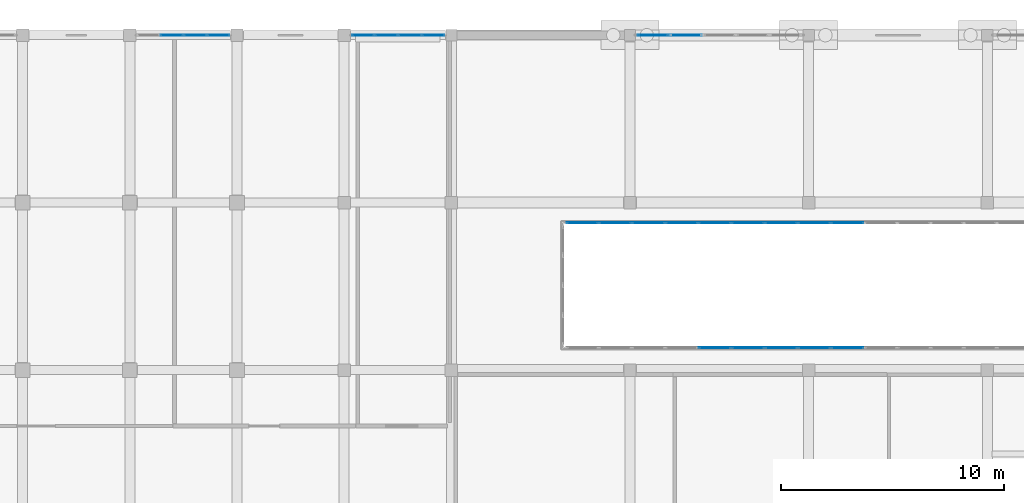
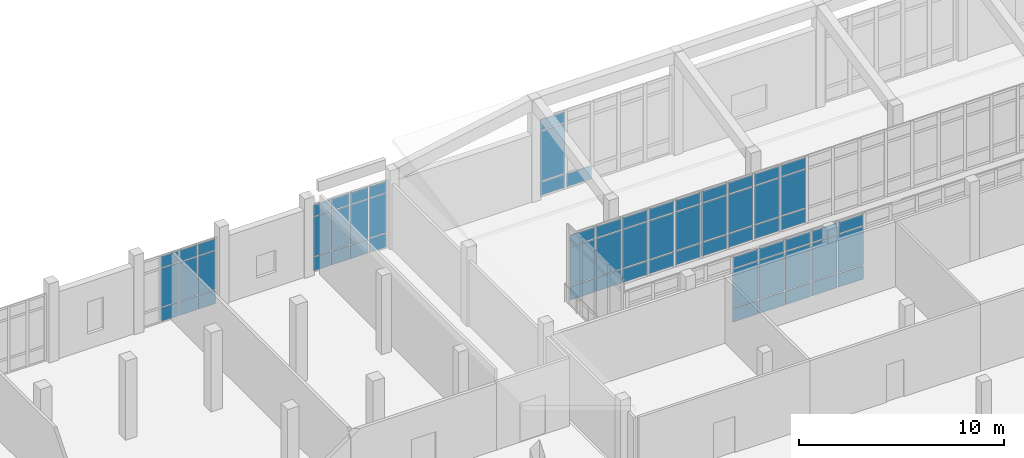
# One storey, part 140 of 173: 67 plates, 5 elements without a shape of their own.
"""IFC4 building model written with IfcOpenShell, lengths in metres."""

import ifcopenshell
import ifcopenshell.guid

model = None  # the IFC model being written
_history = None  # IfcOwnerHistory: only IFC2X3 demands one
_inside = {}  # id of a spatial element -> (the spatial element, [elements in it])
_under = {}  # id of a project, library or spatial element -> (it, [spatial elements below it])
_declared = {}  # id of a project -> (the project, [libraries it declares])
_typed = {}  # id of a type object -> (the type object, [elements of that type])
_made_of = {}  # id of a material, layer set ... -> (it, [elements and type objects made of it])


def new_model(schema):
    """Start an empty IFC model of exactly this schema.

    Asked for "IFC4X3", IfcOpenShell would pick the latest addendum, in which some entities
    have other attributes; the version numbers below select the first issue.
    IFC2X3 requires an IfcOwnerHistory on every rooted entity: one is made here for all.
    """
    global model, _history
    if schema == "IFC4X3":
        model = ifcopenshell.file(schema_version=(4, 3, 0, 0))
    else:
        model = ifcopenshell.file(schema=schema)
    _inside.clear()
    _under.clear()
    _declared.clear()
    _typed.clear()
    _made_of.clear()
    _history = None
    if model.schema == "IFC2X3":
        org = make("IfcOrganization", Name="unknown")
        user = make(
            "IfcPersonAndOrganization",
            ThePerson=make("IfcPerson", FamilyName="unknown"),
            TheOrganization=org,
        )
        app = make(
            "IfcApplication",
            ApplicationDeveloper=org,
            Version="unknown",
            ApplicationFullName="unknown",
            ApplicationIdentifier="unknown",
        )
        _history = make(
            "IfcOwnerHistory",
            OwningUser=user,
            OwningApplication=app,
            ChangeAction="ADDED",
            CreationDate=0,
        )
    return model


def make(cls, **values):
    """One entity of the class cls with the attributes given. An attribute that is None is left unset."""
    return model.create_entity(
        cls, **{name: value for name, value in values.items() if value is not None}
    )


def rooted(cls, **values):
    """An entity with a GlobalId (a new one), such as an element, a storey or a relation."""
    return make(cls, GlobalId=ifcopenshell.guid.new(), OwnerHistory=_history, **values)


def si_unit(unit_type, name, prefix=None):
    """IfcSIUnit, for example si_unit("LENGTHUNIT", "METRE", prefix="MILLI")."""
    return make("IfcSIUnit", UnitType=unit_type, Prefix=prefix, Name=name)


def assignment(units):
    """IfcUnitAssignment: the units of a project."""
    return None if units is None else make("IfcUnitAssignment", Units=units)


def point(xyz):
    """IfcCartesianPoint."""
    return None if xyz is None else make("IfcCartesianPoint", Coordinates=xyz)


def direction(xyz):
    """IfcDirection."""
    return None if xyz is None else make("IfcDirection", DirectionRatios=xyz)


def frame(location, z_axis=None, x_axis=None):
    """IfcAxis2Placement3D, a coordinate frame: its origin and axes. An axis left out is left unset."""
    return make(
        "IfcAxis2Placement3D",
        Location=point(location),
        Axis=direction(z_axis),
        RefDirection=direction(x_axis),
    )


def frame_2d(location, x_axis=None):
    """IfcAxis2Placement2D, a coordinate frame in the plane: its origin and x axis."""
    return make(
        "IfcAxis2Placement2D", Location=point(location), RefDirection=direction(x_axis)
    )


def origin():
    """The frame at (0, 0, 0) with its axes left unset."""
    return frame((0.0, 0.0, 0.0))


def origin_2d():
    """The frame at (0, 0) in the plane with its x axis left unset."""
    return frame_2d((0.0, 0.0))


def place(relative_to, where):
    """IfcLocalPlacement: puts the frame where relative to a parent placement (None: the world)."""
    return make(
        "IfcLocalPlacement", PlacementRelTo=relative_to, RelativePlacement=where
    )


def context(
    kind, dimensions, precision=None, world=None, true_north=None, identifier=None
):
    """IfcGeometricRepresentationContext, for example the 3D "Model" context."""
    return make(
        "IfcGeometricRepresentationContext",
        ContextIdentifier=identifier,
        ContextType=kind,
        CoordinateSpaceDimension=dimensions,
        Precision=precision,
        WorldCoordinateSystem=world,
        TrueNorth=true_north,
    )


def subcontext(parent, identifier, kind, view, scale=None):
    """IfcGeometricRepresentationSubContext, for example "Body" below "Model"."""
    return make(
        "IfcGeometricRepresentationSubContext",
        ContextIdentifier=identifier,
        ContextType=kind,
        ParentContext=parent,
        TargetScale=scale,
        TargetView=view,
    )


def project(units=None, contexts=None):
    """IfcProject with its units and contexts."""
    return rooted(
        "IfcProject",
        Name="project",
        RepresentationContexts=contexts,
        UnitsInContext=assignment(units),
    )


def spatial(cls, under=None, at=None, **own):
    """A site, building, storey or space (cls), placed at a placement, below another one or the project."""
    s = rooted(cls, ObjectPlacement=at, **own)
    if under is not None:
        _under.setdefault(under.id(), (under, []))[1].append(s)
    return s


def profile(cls, at=None, kind="AREA", **sizes):
    """A parametric profile (cls). Its sizes go by their IFC names, for example OverallWidth=200.0."""
    return make(cls, ProfileType=kind, Position=at, **sizes)


def rectangle(**sizes):
    """IfcRectangleProfileDef."""
    return profile("IfcRectangleProfileDef", **sizes)


def extrude(swept, where, along, depth):
    """IfcExtrudedAreaSolid: the profile swept, set in the frame where, extruded along a direction by depth."""
    return make(
        "IfcExtrudedAreaSolid",
        SweptArea=swept,
        Position=where,
        ExtrudedDirection=direction(along),
        Depth=depth,
    )


def shape(context_of_items, identifier, shape_type, items):
    """IfcShapeRepresentation: the items that make up one representation, for example the "Body"."""
    return make(
        "IfcShapeRepresentation",
        ContextOfItems=context_of_items,
        RepresentationIdentifier=identifier,
        RepresentationType=shape_type,
        Items=items,
    )


def material(Name=None, Category=None):
    """IfcMaterial."""
    return make("IfcMaterial", Name=Name, Category=Category)


def layer(
    of_material, thickness, ventilated=None, Name=None, Category=None, Priority=None
):
    """IfcMaterialLayer: one layer of a wall or slab, of a material (None: an air gap)."""
    return make(
        "IfcMaterialLayer",
        Material=of_material,
        LayerThickness=thickness,
        IsVentilated=ventilated,
        Name=Name,
        Category=Category,
        Priority=Priority,
    )


def layer_set(layers, Name=None):
    """IfcMaterialLayerSet."""
    return make("IfcMaterialLayerSet", MaterialLayers=layers, LayerSetName=Name)


def made_of(thing, what):
    """Note that an element or type object is made of a material, layer set ...; save() writes the relation."""
    if what is not None:
        _made_of.setdefault(what.id(), (what, []))[1].append(thing)
    return thing


def type_object(cls, material=None, **own):
    """A type object (cls), such as IfcWallType, which elements share."""
    return made_of(rooted(cls, **own), material)


def element(
    cls,
    number,
    at=None,
    inside=None,
    cuts=None,
    type_object=None,
    material=None,
    context=None,
    identifier="Body",
    shape_type=None,
    held_by="IfcProductDefinitionShape",
    body=None,
    shapes=None,
    **own,
):
    """One element of the class cls, such as IfcWall. Its Tag is "e" and its number.

    at: its placement. inside: the storey or other place that contains it. cuts: it is an
    opening in that element (IfcRelVoidsElement). A single representation is given by context,
    identifier, shape_type and body (its items); several are given by shapes. held_by: the class
    of the entity that holds the representations. save() writes the other relations.
    """
    e = rooted(cls, Tag="e%d" % number, ObjectPlacement=at, **own)
    if body is not None:
        shapes = [shape(context, identifier, shape_type, body)]
    if shapes is not None:
        e.Representation = make(held_by, Representations=shapes)
    if inside is not None:
        _inside.setdefault(inside.id(), (inside, []))[1].append(e)
    if cuts is not None:
        rooted(
            "IfcRelVoidsElement", RelatingBuildingElement=cuts, RelatedOpeningElement=e
        )
    if type_object is not None:
        _typed.setdefault(type_object.id(), (type_object, []))[1].append(e)
    return made_of(e, material)


def aggregate(whole, parts):
    """IfcRelAggregates: a whole, such as a stair, and the parts it consists of."""
    return rooted("IfcRelAggregates", RelatingObject=whole, RelatedObjects=parts)


def save(model, path):
    """Write the relations noted so far, then the file.

    IfcRelAggregates (storeys below a building ...), IfcRelContainedInSpatialStructure (elements
    in a storey), IfcRelDefinesByType, IfcRelAssociatesMaterial and IfcRelDeclares: one each for
    every whole, place, type object, material and project.
    """
    for whole, parts in _under.values():
        aggregate(whole, parts)
    for where, things in _inside.values():
        rooted(
            "IfcRelContainedInSpatialStructure",
            RelatedElements=things,
            RelatingStructure=where,
        )
    for kind, things in _typed.values():
        rooted("IfcRelDefinesByType", RelatedObjects=things, RelatingType=kind)
    for what, things in _made_of.values():
        rooted("IfcRelAssociatesMaterial", RelatedObjects=things, RelatingMaterial=what)
    for by, libraries in _declared.values():
        rooted("IfcRelDeclares", RelatingContext=by, RelatedDefinitions=libraries)
    model.write(path)


model = new_model("IFC4")

# Units and contexts
model_context = context("Model", 3, precision=1e-05, world=origin(), true_north=direction((0.0, 1.0)))
body_context = subcontext(model_context, "Body", "Model", "MODEL_VIEW")
ifc_project = project(units=[si_unit("LENGTHUNIT", "METRE"), si_unit("AREAUNIT", "SQUARE_METRE"), si_unit("VOLUMEUNIT", "CUBIC_METRE"), si_unit("PLANEANGLEUNIT", "RADIAN"), si_unit("MASSUNIT", "GRAM", prefix="KILO")], contexts=[model_context])

# Site, building, storey
site_placement = place(None, origin())
site = spatial("IfcSite", under=ifc_project, at=site_placement, CompositionType="ELEMENT")
building_placement = place(site_placement, origin())
building = spatial("IfcBuilding", under=site, at=building_placement, Name="Mawjan Specialist Oncology Clinic", CompositionType="ELEMENT")
storey_placement = place(building_placement, origin())
storey = spatial("IfcBuildingStorey", under=building, at=storey_placement, Name="L00", CompositionType="ELEMENT", Elevation=0.0)

# Curtain wall, plates
ifc_material_1 = material(Name="Unitised spectrally selective aluminium curtain wall", Category="aluminium")
ifc_layer_1 = layer(ifc_material_1, 0.179931640625, Name="Unitised spectrally selective aluminium curtain wall", Category="aluminium")
ifc_layer_set_1 = layer_set([ifc_layer_1], Name="Unitised spectrally selective aluminium curtain wall")
curtain_wall_type_1 = type_object("IfcCurtainWallType", Name="CW-13", PredefinedType="NOTDEFINED", material=ifc_layer_set_1)
curtain_wall_1_placement = place(storey_placement, origin())
curtain_wall_1 = element("IfcCurtainWall", 1, at=curtain_wall_1_placement, inside=storey, type_object=curtain_wall_type_1, Name="L00 Unitised Curtain Wall CW-L00-025", PredefinedType="NOTDEFINED")
ifc_material_2 = material(Name="Spectrally selective double low-E glazing", Category="glass")
ifc_layer_2 = layer(ifc_material_2, 0.035888671875, Name="Spectrally selective double low-E glazing", Category="glass")
ifc_layer_set_2 = layer_set([ifc_layer_2], Name="Spectrally selective double low-E glazing")
plate_type = type_object("IfcPlateType", Name="CW-P36", PredefinedType="CURTAIN_PANEL", material=ifc_layer_set_2)
plate_1_placement = place(storey_placement, frame((95.4736328125, 113.300048828125, 0.06005859375), z_axis=(0.0, 0.0, 1.0), x_axis=(1.0, 0.0, 0.0)))
plate_1 = element("IfcPlate", 2, at=plate_1_placement, type_object=plate_type, Name="CW-13 panel 2.1", PredefinedType="CURTAIN_PANEL", context=body_context, shape_type="SweptSolid", body=[
    extrude(rectangle(XDim=0.992431640625, YDim=0.035888671875, at=origin_2d()), origin(), (0.0, 0.0, 1.0), 0.81005859375),
])
plate_2_placement = place(storey_placement, frame((95.4736328125, 113.300048828125, 0.929931640625), z_axis=(0.0, 0.0, 1.0), x_axis=(1.0, 0.0, 0.0)))
plate_2 = element("IfcPlate", 3, at=plate_2_placement, type_object=plate_type, Name="CW-13 panel 2.2", PredefinedType="CURTAIN_PANEL", context=body_context, shape_type="SweptSolid", body=[
    extrude(rectangle(XDim=0.992431640625, YDim=0.035888671875, at=origin_2d()), origin(), (0.0, 0.0, 1.0), 2.27490234375),
])
plate_3_placement = place(storey_placement, frame((95.4736328125, 113.300048828125, 3.26513671875), z_axis=(0.0, 0.0, 1.0), x_axis=(1.0, 0.0, 0.0)))
plate_3 = element("IfcPlate", 4, at=plate_3_placement, type_object=plate_type, Name="CW-13 panel 2.3", PredefinedType="CURTAIN_PANEL", context=body_context, shape_type="SweptSolid", body=[
    extrude(rectangle(XDim=0.992431640625, YDim=0.035888671875, at=origin_2d()), origin(), (0.0, 0.0, 1.0), 0.659912109375),
])
plate_4_placement = place(storey_placement, frame((96.5263671875, 113.300048828125, 0.06005859375), z_axis=(0.0, 0.0, 1.0), x_axis=(1.0, 0.0, 0.0)))
plate_4 = element("IfcPlate", 5, at=plate_4_placement, type_object=plate_type, Name="CW-13 panel 3.1", PredefinedType="CURTAIN_PANEL", context=body_context, shape_type="SweptSolid", body=[
    extrude(rectangle(XDim=0.992431640625, YDim=0.035888671875, at=origin_2d()), origin(), (0.0, 0.0, 1.0), 0.81005859375),
])
plate_5_placement = place(storey_placement, frame((96.5263671875, 113.300048828125, 0.929931640625), z_axis=(0.0, 0.0, 1.0), x_axis=(1.0, 0.0, 0.0)))
plate_5 = element("IfcPlate", 6, at=plate_5_placement, type_object=plate_type, Name="CW-13 panel 3.2", PredefinedType="CURTAIN_PANEL", context=body_context, shape_type="SweptSolid", body=[
    extrude(rectangle(XDim=0.992431640625, YDim=0.035888671875, at=origin_2d()), origin(), (0.0, 0.0, 1.0), 2.27490234375),
])
plate_6_placement = place(storey_placement, frame((96.5263671875, 113.300048828125, 3.26513671875), z_axis=(0.0, 0.0, 1.0), x_axis=(1.0, 0.0, 0.0)))
plate_6 = element("IfcPlate", 7, at=plate_6_placement, type_object=plate_type, Name="CW-13 panel 3.3", PredefinedType="CURTAIN_PANEL", context=body_context, shape_type="SweptSolid", body=[
    extrude(rectangle(XDim=0.992431640625, YDim=0.035888671875, at=origin_2d()), origin(), (0.0, 0.0, 1.0), 0.659912109375),
])
plate_7_placement = place(storey_placement, frame((97.563720703125, 113.300048828125, 0.06005859375), z_axis=(0.0, 0.0, 1.0), x_axis=(1.0, 0.0, 0.0)))
plate_7 = element("IfcPlate", 8, at=plate_7_placement, type_object=plate_type, Name="CW-13 panel 4.1", PredefinedType="CURTAIN_PANEL", context=body_context, shape_type="SweptSolid", body=[
    extrude(rectangle(XDim=0.96240234375, YDim=0.035888671875, at=origin_2d()), origin(), (0.0, 0.0, 1.0), 0.81005859375),
])
plate_8_placement = place(storey_placement, frame((97.563720703125, 113.300048828125, 0.929931640625), z_axis=(0.0, 0.0, 1.0), x_axis=(1.0, 0.0, 0.0)))
plate_8 = element("IfcPlate", 9, at=plate_8_placement, type_object=plate_type, Name="CW-13 panel 4.2", PredefinedType="CURTAIN_PANEL", context=body_context, shape_type="SweptSolid", body=[
    extrude(rectangle(XDim=0.96240234375, YDim=0.035888671875, at=origin_2d()), origin(), (0.0, 0.0, 1.0), 2.27490234375),
])
plate_9_placement = place(storey_placement, frame((97.563720703125, 113.300048828125, 3.26513671875), z_axis=(0.0, 0.0, 1.0), x_axis=(1.0, 0.0, 0.0)))
plate_9 = element("IfcPlate", 10, at=plate_9_placement, type_object=plate_type, Name="CW-13 panel 4.3", PredefinedType="CURTAIN_PANEL", context=body_context, shape_type="SweptSolid", body=[
    extrude(rectangle(XDim=0.96240234375, YDim=0.035888671875, at=origin_2d()), origin(), (0.0, 0.0, 1.0), 0.659912109375),
])
aggregate(curtain_wall_1, [plate_1, plate_2, plate_3, plate_4, plate_5, plate_6, plate_7, plate_8, plate_9])

ifc_material_3 = material(Name="Unitised spectrally selective aluminium curtain wall", Category="aluminium")
ifc_layer_3 = layer(ifc_material_3, 0.179931640625, Name="Unitised spectrally selective aluminium curtain wall", Category="aluminium")
ifc_layer_set_3 = layer_set([ifc_layer_3], Name="Unitised spectrally selective aluminium curtain wall")
curtain_wall_type_2 = type_object("IfcCurtainWallType", Name="CW-14", PredefinedType="NOTDEFINED", material=ifc_layer_set_3)
curtain_wall_2_placement = place(storey_placement, origin())
curtain_wall_2 = element("IfcCurtainWall", 11, at=curtain_wall_2_placement, inside=storey, type_object=curtain_wall_type_2, Name="L00 Unitised Curtain Wall CW-L00-026", PredefinedType="NOTDEFINED")
plate_10_placement = place(storey_placement, frame((104.039306640625, 113.300048828125, 0.06005859375), z_axis=(0.0, 0.0, 1.0), x_axis=(1.0, 0.0, 0.0)))
plate_10 = element("IfcPlate", 12, at=plate_10_placement, type_object=plate_type, Name="CW-14 panel 1.1", PredefinedType="CURTAIN_PANEL", context=body_context, shape_type="SweptSolid", body=[
    extrude(rectangle(XDim=0.96875, YDim=0.035888671875, at=origin_2d()), origin(), (0.0, 0.0, 1.0), 0.81005859375),
])
plate_11_placement = place(storey_placement, frame((104.039306640625, 113.300048828125, 0.93017578125), z_axis=(0.0, 0.0, 1.0), x_axis=(1.0, 0.0, 0.0)))
plate_11 = element("IfcPlate", 13, at=plate_11_placement, type_object=plate_type, Name="CW-14 panel 1.2", PredefinedType="CURTAIN_PANEL", context=body_context, shape_type="SweptSolid", body=[
    extrude(rectangle(XDim=0.96875, YDim=0.035888671875, at=origin_2d()), origin(), (0.0, 0.0, 1.0), 2.324951171875),
])
plate_12_placement = place(storey_placement, frame((104.039306640625, 113.300048828125, 3.31494140625), z_axis=(0.0, 0.0, 1.0), x_axis=(1.0, 0.0, 0.0)))
plate_12 = element("IfcPlate", 14, at=plate_12_placement, type_object=plate_type, Name="CW-14 panel 1.3", PredefinedType="CURTAIN_PANEL", context=body_context, shape_type="SweptSolid", body=[
    extrude(rectangle(XDim=0.96875, YDim=0.035888671875, at=origin_2d()), origin(), (0.0, 0.0, 1.0), 0.659912109375),
])
plate_13_placement = place(storey_placement, frame((105.0830078125, 113.300048828125, 0.06005859375), z_axis=(0.0, 0.0, 1.0), x_axis=(1.0, 0.0, 0.0)))
plate_13 = element("IfcPlate", 15, at=plate_13_placement, type_object=plate_type, Name="CW-14 panel 2.1", PredefinedType="CURTAIN_PANEL", context=body_context, shape_type="SweptSolid", body=[
    extrude(rectangle(XDim=0.998779296875, YDim=0.035888671875, at=origin_2d()), origin(), (0.0, 0.0, 1.0), 0.81005859375),
])
plate_14_placement = place(storey_placement, frame((105.0830078125, 113.300048828125, 0.93017578125), z_axis=(0.0, 0.0, 1.0), x_axis=(1.0, 0.0, 0.0)))
plate_14 = element("IfcPlate", 16, at=plate_14_placement, type_object=plate_type, Name="CW-14 panel 2.2", PredefinedType="CURTAIN_PANEL", context=body_context, shape_type="SweptSolid", body=[
    extrude(rectangle(XDim=0.998779296875, YDim=0.035888671875, at=origin_2d()), origin(), (0.0, 0.0, 1.0), 2.324951171875),
])
plate_15_placement = place(storey_placement, frame((105.0830078125, 113.300048828125, 3.31494140625), z_axis=(0.0, 0.0, 1.0), x_axis=(1.0, 0.0, 0.0)))
plate_15 = element("IfcPlate", 17, at=plate_15_placement, type_object=plate_type, Name="CW-14 panel 2.3", PredefinedType="CURTAIN_PANEL", context=body_context, shape_type="SweptSolid", body=[
    extrude(rectangle(XDim=0.998779296875, YDim=0.035888671875, at=origin_2d()), origin(), (0.0, 0.0, 1.0), 0.659912109375),
])
plate_16_placement = place(storey_placement, frame((106.141845703125, 113.300048828125, 0.06005859375), z_axis=(0.0, 0.0, 1.0), x_axis=(1.0, 0.0, 0.0)))
plate_16 = element("IfcPlate", 18, at=plate_16_placement, type_object=plate_type, Name="CW-14 panel 3.1", PredefinedType="CURTAIN_PANEL", context=body_context, shape_type="SweptSolid", body=[
    extrude(rectangle(XDim=0.998779296875, YDim=0.035888671875, at=origin_2d()), origin(), (0.0, 0.0, 1.0), 0.81005859375),
])
plate_17_placement = place(storey_placement, frame((106.141845703125, 113.300048828125, 0.93017578125), z_axis=(0.0, 0.0, 1.0), x_axis=(1.0, 0.0, 0.0)))
plate_17 = element("IfcPlate", 19, at=plate_17_placement, type_object=plate_type, Name="CW-14 panel 3.2", PredefinedType="CURTAIN_PANEL", context=body_context, shape_type="SweptSolid", body=[
    extrude(rectangle(XDim=0.998779296875, YDim=0.035888671875, at=origin_2d()), origin(), (0.0, 0.0, 1.0), 2.324951171875),
])
plate_18_placement = place(storey_placement, frame((106.141845703125, 113.300048828125, 3.31494140625), z_axis=(0.0, 0.0, 1.0), x_axis=(1.0, 0.0, 0.0)))
plate_18 = element("IfcPlate", 20, at=plate_18_placement, type_object=plate_type, Name="CW-14 panel 3.3", PredefinedType="CURTAIN_PANEL", context=body_context, shape_type="SweptSolid", body=[
    extrude(rectangle(XDim=0.998779296875, YDim=0.035888671875, at=origin_2d()), origin(), (0.0, 0.0, 1.0), 0.659912109375),
])
plate_19_placement = place(storey_placement, frame((107.185546875, 113.300048828125, 0.06005859375), z_axis=(0.0, 0.0, 1.0), x_axis=(1.0, 0.0, 0.0)))
plate_19 = element("IfcPlate", 21, at=plate_19_placement, type_object=plate_type, Name="CW-14 panel 4.1", PredefinedType="CURTAIN_PANEL", context=body_context, shape_type="SweptSolid", body=[
    extrude(rectangle(XDim=0.96875, YDim=0.035888671875, at=origin_2d()), origin(), (0.0, 0.0, 1.0), 0.81005859375),
])
plate_20_placement = place(storey_placement, frame((107.185546875, 113.300048828125, 0.93017578125), z_axis=(0.0, 0.0, 1.0), x_axis=(1.0, 0.0, 0.0)))
plate_20 = element("IfcPlate", 22, at=plate_20_placement, type_object=plate_type, Name="CW-14 panel 4.2", PredefinedType="CURTAIN_PANEL", context=body_context, shape_type="SweptSolid", body=[
    extrude(rectangle(XDim=0.96875, YDim=0.035888671875, at=origin_2d()), origin(), (0.0, 0.0, 1.0), 2.324951171875),
])
plate_21_placement = place(storey_placement, frame((107.185546875, 113.300048828125, 3.31494140625), z_axis=(0.0, 0.0, 1.0), x_axis=(1.0, 0.0, 0.0)))
plate_21 = element("IfcPlate", 23, at=plate_21_placement, type_object=plate_type, Name="CW-14 panel 4.3", PredefinedType="CURTAIN_PANEL", context=body_context, shape_type="SweptSolid", body=[
    extrude(rectangle(XDim=0.96875, YDim=0.035888671875, at=origin_2d()), origin(), (0.0, 0.0, 1.0), 0.659912109375),
])
aggregate(curtain_wall_2, [plate_10, plate_11, plate_12, plate_13, plate_14, plate_15, plate_16, plate_17, plate_18, plate_19, plate_20, plate_21])

ifc_material_4 = material(Name="Unitised spectrally selective aluminium curtain wall", Category="aluminium")
ifc_layer_4 = layer(ifc_material_4, 0.179931640625, Name="Unitised spectrally selective aluminium curtain wall", Category="aluminium")
ifc_layer_set_4 = layer_set([ifc_layer_4], Name="Unitised spectrally selective aluminium curtain wall")
curtain_wall_type_3 = type_object("IfcCurtainWallType", Name="CW-15", PredefinedType="NOTDEFINED", material=ifc_layer_set_4)
curtain_wall_3_placement = place(storey_placement, origin())
curtain_wall_3 = element("IfcCurtainWall", 24, at=curtain_wall_3_placement, inside=storey, type_object=curtain_wall_type_3, Name="L00 Unitised Curtain Wall CW-L00-027", PredefinedType="NOTDEFINED")
plate_22_placement = place(storey_placement, frame((117.033447265625, 113.300048828125, 0.070068359375), z_axis=(0.0, 0.0, 1.0), x_axis=(1.0, 0.0, 0.0)))
plate_22 = element("IfcPlate", 25, at=plate_22_placement, type_object=plate_type, Name="CW-15 panel 1.1", PredefinedType="CURTAIN_PANEL", context=body_context, shape_type="SweptSolid", body=[
    extrude(rectangle(XDim=1.386962890625, YDim=0.035888671875, at=origin_2d()), origin(), (0.0, 0.0, 1.0), 0.794921875),
])
plate_23_placement = place(storey_placement, frame((117.033447265625, 113.300048828125, 0.93505859375), z_axis=(0.0, 0.0, 1.0), x_axis=(1.0, 0.0, 0.0)))
plate_23 = element("IfcPlate", 26, at=plate_23_placement, type_object=plate_type, Name="CW-15 panel 1.2", PredefinedType="CURTAIN_PANEL", context=body_context, shape_type="SweptSolid", body=[
    extrude(rectangle(XDim=1.386962890625, YDim=0.035888671875, at=origin_2d()), origin(), (0.0, 0.0, 1.0), 2.949951171875),
])
plate_24_placement = place(storey_placement, frame((117.033447265625, 113.300048828125, 3.955078125), z_axis=(0.0, 0.0, 1.0), x_axis=(1.0, 0.0, 0.0)))
plate_24 = element("IfcPlate", 27, at=plate_24_placement, type_object=plate_type, Name="CW-15 panel 1.3", PredefinedType="CURTAIN_PANEL", context=body_context, shape_type="SweptSolid", body=[
    extrude(rectangle(XDim=1.386962890625, YDim=0.035888671875, at=origin_2d()), origin(), (0.0, 0.0, 1.0), 0.64501953125),
])
plate_25_placement = place(storey_placement, frame((118.508056640625, 113.300048828125, 0.070068359375), z_axis=(0.0, 0.0, 1.0), x_axis=(1.0, 0.0, 0.0)))
plate_25 = element("IfcPlate", 28, at=plate_25_placement, type_object=plate_type, Name="CW-15 panel 2.1", PredefinedType="CURTAIN_PANEL", context=body_context, shape_type="SweptSolid", body=[
    extrude(rectangle(XDim=1.422119140625, YDim=0.035888671875, at=origin_2d()), origin(), (0.0, 0.0, 1.0), 0.794921875),
])
aggregate(curtain_wall_3, [plate_22, plate_23, plate_24, plate_25])

ifc_material_5 = material(Name="Unitised spectrally selective aluminium curtain wall", Category="aluminium")
ifc_layer_5 = layer(ifc_material_5, 0.179931640625, Name="Unitised spectrally selective aluminium curtain wall", Category="aluminium")
ifc_layer_set_5 = layer_set([ifc_layer_5], Name="Unitised spectrally selective aluminium curtain wall")
curtain_wall_type_4 = type_object("IfcCurtainWallType", Name="CW-33", PredefinedType="NOTDEFINED", material=ifc_layer_set_5)
curtain_wall_4_placement = place(storey_placement, origin())
curtain_wall_4 = element("IfcCurtainWall", 29, at=curtain_wall_4_placement, inside=storey, type_object=curtain_wall_type_4, Name="L00 Unitised Curtain Wall CW-L00-072", PredefinedType="NOTDEFINED")
plate_26_placement = place(storey_placement, frame((125.74169921875, 104.89990234375, 0.06494140625), z_axis=(0.0, 0.0, 1.0), x_axis=(-1.0, 0.0, 0.0)))
plate_26 = element("IfcPlate", 30, at=plate_26_placement, type_object=plate_type, Name="CW-33 panel 15.1", PredefinedType="CURTAIN_PANEL", context=body_context, shape_type="SweptSolid", body=[
    extrude(rectangle(XDim=1.421142578125, YDim=0.035888671875, at=origin_2d()), origin(), (0.0, 0.0, 1.0), 0.802490234375),
])
plate_27_placement = place(storey_placement, frame((125.74169921875, 104.89990234375, 0.932373046875), z_axis=(0.0, 0.0, 1.0), x_axis=(-1.0, 0.0, 0.0)))
plate_27 = element("IfcPlate", 31, at=plate_27_placement, type_object=plate_type, Name="CW-33 panel 15.2", PredefinedType="CURTAIN_PANEL", context=body_context, shape_type="SweptSolid", body=[
    extrude(rectangle(XDim=1.421142578125, YDim=0.035888671875, at=origin_2d()), origin(), (0.0, 0.0, 1.0), 2.27001953125),
])
plate_28_placement = place(storey_placement, frame((125.74169921875, 104.89990234375, 3.267578125), z_axis=(0.0, 0.0, 1.0), x_axis=(-1.0, 0.0, 0.0)))
plate_28 = element("IfcPlate", 32, at=plate_28_placement, type_object=plate_type, Name="CW-33 panel 15.3", PredefinedType="CURTAIN_PANEL", context=body_context, shape_type="SweptSolid", body=[
    extrude(rectangle(XDim=1.421142578125, YDim=0.035888671875, at=origin_2d()), origin(), (0.0, 0.0, 1.0), 0.652587890625),
])
plate_29_placement = place(storey_placement, frame((124.255615234375, 104.89990234375, 0.06494140625), z_axis=(0.0, 0.0, 1.0), x_axis=(-1.0, 0.0, 0.0)))
plate_29 = element("IfcPlate", 33, at=plate_29_placement, type_object=plate_type, Name="CW-33 panel 16.1", PredefinedType="CURTAIN_PANEL", context=body_context, shape_type="SweptSolid", body=[
    extrude(rectangle(XDim=1.421142578125, YDim=0.035888671875, at=origin_2d()), origin(), (0.0, 0.0, 1.0), 0.802490234375),
])
plate_30_placement = place(storey_placement, frame((124.255615234375, 104.89990234375, 0.932373046875), z_axis=(0.0, 0.0, 1.0), x_axis=(-1.0, 0.0, 0.0)))
plate_30 = element("IfcPlate", 34, at=plate_30_placement, type_object=plate_type, Name="CW-33 panel 16.2", PredefinedType="CURTAIN_PANEL", context=body_context, shape_type="SweptSolid", body=[
    extrude(rectangle(XDim=1.421142578125, YDim=0.035888671875, at=origin_2d()), origin(), (0.0, 0.0, 1.0), 2.27001953125),
])
plate_31_placement = place(storey_placement, frame((124.255615234375, 104.89990234375, 3.267578125), z_axis=(0.0, 0.0, 1.0), x_axis=(-1.0, 0.0, 0.0)))
plate_31 = element("IfcPlate", 35, at=plate_31_placement, type_object=plate_type, Name="CW-33 panel 16.3", PredefinedType="CURTAIN_PANEL", context=body_context, shape_type="SweptSolid", body=[
    extrude(rectangle(XDim=1.421142578125, YDim=0.035888671875, at=origin_2d()), origin(), (0.0, 0.0, 1.0), 0.652587890625),
])
plate_32_placement = place(storey_placement, frame((122.76953125, 104.89990234375, 0.06494140625), z_axis=(0.0, 0.0, 1.0), x_axis=(-1.0, 0.0, 0.0)))
plate_32 = element("IfcPlate", 36, at=plate_32_placement, type_object=plate_type, Name="CW-33 panel 17.1", PredefinedType="CURTAIN_PANEL", context=body_context, shape_type="SweptSolid", body=[
    extrude(rectangle(XDim=1.421142578125, YDim=0.035888671875, at=origin_2d()), origin(), (0.0, 0.0, 1.0), 0.802490234375),
])
plate_33_placement = place(storey_placement, frame((122.76953125, 104.89990234375, 0.932373046875), z_axis=(0.0, 0.0, 1.0), x_axis=(-1.0, 0.0, 0.0)))
plate_33 = element("IfcPlate", 37, at=plate_33_placement, type_object=plate_type, Name="CW-33 panel 17.2", PredefinedType="CURTAIN_PANEL", context=body_context, shape_type="SweptSolid", body=[
    extrude(rectangle(XDim=1.421142578125, YDim=0.035888671875, at=origin_2d()), origin(), (0.0, 0.0, 1.0), 2.27001953125),
])
plate_34_placement = place(storey_placement, frame((122.76953125, 104.89990234375, 3.267578125), z_axis=(0.0, 0.0, 1.0), x_axis=(-1.0, 0.0, 0.0)))
plate_34 = element("IfcPlate", 38, at=plate_34_placement, type_object=plate_type, Name="CW-33 panel 17.3", PredefinedType="CURTAIN_PANEL", context=body_context, shape_type="SweptSolid", body=[
    extrude(rectangle(XDim=1.421142578125, YDim=0.035888671875, at=origin_2d()), origin(), (0.0, 0.0, 1.0), 0.652587890625),
])
plate_35_placement = place(storey_placement, frame((121.283447265625, 104.89990234375, 0.06494140625), z_axis=(0.0, 0.0, 1.0), x_axis=(-1.0, 0.0, 0.0)))
plate_35 = element("IfcPlate", 39, at=plate_35_placement, type_object=plate_type, Name="CW-33 panel 18.1", PredefinedType="CURTAIN_PANEL", context=body_context, shape_type="SweptSolid", body=[
    extrude(rectangle(XDim=1.421142578125, YDim=0.035888671875, at=origin_2d()), origin(), (0.0, 0.0, 1.0), 0.802490234375),
])
plate_36_placement = place(storey_placement, frame((121.283447265625, 104.89990234375, 0.932373046875), z_axis=(0.0, 0.0, 1.0), x_axis=(-1.0, 0.0, 0.0)))
plate_36 = element("IfcPlate", 40, at=plate_36_placement, type_object=plate_type, Name="CW-33 panel 18.2", PredefinedType="CURTAIN_PANEL", context=body_context, shape_type="SweptSolid", body=[
    extrude(rectangle(XDim=1.421142578125, YDim=0.035888671875, at=origin_2d()), origin(), (0.0, 0.0, 1.0), 2.27001953125),
])
plate_37_placement = place(storey_placement, frame((121.283447265625, 104.89990234375, 3.267578125), z_axis=(0.0, 0.0, 1.0), x_axis=(-1.0, 0.0, 0.0)))
plate_37 = element("IfcPlate", 41, at=plate_37_placement, type_object=plate_type, Name="CW-33 panel 18.3", PredefinedType="CURTAIN_PANEL", context=body_context, shape_type="SweptSolid", body=[
    extrude(rectangle(XDim=1.421142578125, YDim=0.035888671875, at=origin_2d()), origin(), (0.0, 0.0, 1.0), 0.652587890625),
])
plate_38_placement = place(storey_placement, frame((119.79736328125, 104.89990234375, 0.06494140625), z_axis=(0.0, 0.0, 1.0), x_axis=(-1.0, 0.0, 0.0)))
plate_38 = element("IfcPlate", 42, at=plate_38_placement, type_object=plate_type, Name="CW-33 panel 19.1", PredefinedType="CURTAIN_PANEL", context=body_context, shape_type="SweptSolid", body=[
    extrude(rectangle(XDim=1.421142578125, YDim=0.035888671875, at=origin_2d()), origin(), (0.0, 0.0, 1.0), 0.802490234375),
])
plate_39_placement = place(storey_placement, frame((119.79736328125, 104.89990234375, 0.932373046875), z_axis=(0.0, 0.0, 1.0), x_axis=(-1.0, 0.0, 0.0)))
plate_39 = element("IfcPlate", 43, at=plate_39_placement, type_object=plate_type, Name="CW-33 panel 19.2", PredefinedType="CURTAIN_PANEL", context=body_context, shape_type="SweptSolid", body=[
    extrude(rectangle(XDim=1.421142578125, YDim=0.035888671875, at=origin_2d()), origin(), (0.0, 0.0, 1.0), 2.27001953125),
])
plate_40_placement = place(storey_placement, frame((119.79736328125, 104.89990234375, 3.267578125), z_axis=(0.0, 0.0, 1.0), x_axis=(-1.0, 0.0, 0.0)))
plate_40 = element("IfcPlate", 44, at=plate_40_placement, type_object=plate_type, Name="CW-33 panel 19.3", PredefinedType="CURTAIN_PANEL", context=body_context, shape_type="SweptSolid", body=[
    extrude(rectangle(XDim=1.421142578125, YDim=0.035888671875, at=origin_2d()), origin(), (0.0, 0.0, 1.0), 0.652587890625),
])
plate_41_placement = place(storey_placement, frame((118.311279296875, 104.89990234375, 0.06494140625), z_axis=(0.0, 0.0, 1.0), x_axis=(-1.0, 0.0, 0.0)))
plate_41 = element("IfcPlate", 45, at=plate_41_placement, type_object=plate_type, Name="CW-33 panel 20.1", PredefinedType="CURTAIN_PANEL", context=body_context, shape_type="SweptSolid", body=[
    extrude(rectangle(XDim=1.421142578125, YDim=0.035888671875, at=origin_2d()), origin(), (0.0, 0.0, 1.0), 0.802490234375),
])
plate_42_placement = place(storey_placement, frame((118.311279296875, 104.89990234375, 0.932373046875), z_axis=(0.0, 0.0, 1.0), x_axis=(-1.0, 0.0, 0.0)))
plate_42 = element("IfcPlate", 46, at=plate_42_placement, type_object=plate_type, Name="CW-33 panel 20.2", PredefinedType="CURTAIN_PANEL", context=body_context, shape_type="SweptSolid", body=[
    extrude(rectangle(XDim=1.421142578125, YDim=0.035888671875, at=origin_2d()), origin(), (0.0, 0.0, 1.0), 2.27001953125),
])
plate_43_placement = place(storey_placement, frame((118.311279296875, 104.89990234375, 3.267578125), z_axis=(0.0, 0.0, 1.0), x_axis=(-1.0, 0.0, 0.0)))
plate_43 = element("IfcPlate", 47, at=plate_43_placement, type_object=plate_type, Name="CW-33 panel 20.3", PredefinedType="CURTAIN_PANEL", context=body_context, shape_type="SweptSolid", body=[
    extrude(rectangle(XDim=1.421142578125, YDim=0.035888671875, at=origin_2d()), origin(), (0.0, 0.0, 1.0), 0.652587890625),
])
plate_44_placement = place(storey_placement, frame((116.8251953125, 104.89990234375, 0.06494140625), z_axis=(0.0, 0.0, 1.0), x_axis=(-1.0, 0.0, 0.0)))
plate_44 = element("IfcPlate", 48, at=plate_44_placement, type_object=plate_type, Name="CW-33 panel 21.1", PredefinedType="CURTAIN_PANEL", context=body_context, shape_type="SweptSolid", body=[
    extrude(rectangle(XDim=1.421142578125, YDim=0.035888671875, at=origin_2d()), origin(), (0.0, 0.0, 1.0), 0.802490234375),
])
plate_45_placement = place(storey_placement, frame((116.8251953125, 104.89990234375, 0.932373046875), z_axis=(0.0, 0.0, 1.0), x_axis=(-1.0, 0.0, 0.0)))
plate_45 = element("IfcPlate", 49, at=plate_45_placement, type_object=plate_type, Name="CW-33 panel 21.2", PredefinedType="CURTAIN_PANEL", context=body_context, shape_type="SweptSolid", body=[
    extrude(rectangle(XDim=1.421142578125, YDim=0.035888671875, at=origin_2d()), origin(), (0.0, 0.0, 1.0), 2.27001953125),
])
plate_46_placement = place(storey_placement, frame((116.8251953125, 104.89990234375, 3.267578125), z_axis=(0.0, 0.0, 1.0), x_axis=(-1.0, 0.0, 0.0)))
plate_46 = element("IfcPlate", 50, at=plate_46_placement, type_object=plate_type, Name="CW-33 panel 21.3", PredefinedType="CURTAIN_PANEL", context=body_context, shape_type="SweptSolid", body=[
    extrude(rectangle(XDim=1.421142578125, YDim=0.035888671875, at=origin_2d()), origin(), (0.0, 0.0, 1.0), 0.652587890625),
])
plate_47_placement = place(storey_placement, frame((115.339111328125, 104.89990234375, 0.06494140625), z_axis=(0.0, 0.0, 1.0), x_axis=(-1.0, 0.0, 0.0)))
plate_47 = element("IfcPlate", 51, at=plate_47_placement, type_object=plate_type, Name="CW-33 panel 22.1", PredefinedType="CURTAIN_PANEL", context=body_context, shape_type="SweptSolid", body=[
    extrude(rectangle(XDim=1.421142578125, YDim=0.035888671875, at=origin_2d()), origin(), (0.0, 0.0, 1.0), 0.802490234375),
])
plate_48_placement = place(storey_placement, frame((115.339111328125, 104.89990234375, 0.932373046875), z_axis=(0.0, 0.0, 1.0), x_axis=(-1.0, 0.0, 0.0)))
plate_48 = element("IfcPlate", 52, at=plate_48_placement, type_object=plate_type, Name="CW-33 panel 22.2", PredefinedType="CURTAIN_PANEL", context=body_context, shape_type="SweptSolid", body=[
    extrude(rectangle(XDim=1.421142578125, YDim=0.035888671875, at=origin_2d()), origin(), (0.0, 0.0, 1.0), 2.27001953125),
])
plate_49_placement = place(storey_placement, frame((115.339111328125, 104.89990234375, 3.267578125), z_axis=(0.0, 0.0, 1.0), x_axis=(-1.0, 0.0, 0.0)))
plate_49 = element("IfcPlate", 53, at=plate_49_placement, type_object=plate_type, Name="CW-33 panel 22.3", PredefinedType="CURTAIN_PANEL", context=body_context, shape_type="SweptSolid", body=[
    extrude(rectangle(XDim=1.421142578125, YDim=0.035888671875, at=origin_2d()), origin(), (0.0, 0.0, 1.0), 0.652587890625),
])
plate_50_placement = place(storey_placement, frame((113.869384765625, 104.89990234375, 0.06494140625), z_axis=(0.0, 0.0, 1.0), x_axis=(-1.0, 0.0, 0.0)))
plate_50 = element("IfcPlate", 54, at=plate_50_placement, type_object=plate_type, Name="CW-33 panel 23.1", PredefinedType="CURTAIN_PANEL", context=body_context, shape_type="SweptSolid", body=[
    extrude(rectangle(XDim=1.388671875, YDim=0.035888671875, at=origin_2d()), origin(), (0.0, 0.0, 1.0), 0.802490234375),
])
plate_51_placement = place(storey_placement, frame((113.869384765625, 104.89990234375, 0.932373046875), z_axis=(0.0, 0.0, 1.0), x_axis=(-1.0, 0.0, 0.0)))
plate_51 = element("IfcPlate", 55, at=plate_51_placement, type_object=plate_type, Name="CW-33 panel 23.2", PredefinedType="CURTAIN_PANEL", context=body_context, shape_type="SweptSolid", body=[
    extrude(rectangle(XDim=1.388671875, YDim=0.035888671875, at=origin_2d()), origin(), (0.0, 0.0, 1.0), 2.27001953125),
])
plate_52_placement = place(storey_placement, frame((113.869384765625, 104.89990234375, 3.267578125), z_axis=(0.0, 0.0, 1.0), x_axis=(-1.0, 0.0, 0.0)))
plate_52 = element("IfcPlate", 56, at=plate_52_placement, type_object=plate_type, Name="CW-33 panel 23.3", PredefinedType="CURTAIN_PANEL", context=body_context, shape_type="SweptSolid", body=[
    extrude(rectangle(XDim=1.388671875, YDim=0.035888671875, at=origin_2d()), origin(), (0.0, 0.0, 1.0), 0.652587890625),
])
aggregate(curtain_wall_4, [plate_26, plate_27, plate_28, plate_29, plate_30, plate_31, plate_32, plate_33, plate_34, plate_35, plate_36, plate_37, plate_38, plate_39, plate_40, plate_41, plate_42, plate_43, plate_44, plate_45, plate_46, plate_47, plate_48, plate_49, plate_50, plate_51, plate_52])

curtain_wall_5_placement = place(storey_placement, origin())
curtain_wall_5 = element("IfcCurtainWall", 57, at=curtain_wall_5_placement, inside=storey, type_object=curtain_wall_type_4, Name="L00 Unitised Curtain Wall CW-L00-074", PredefinedType="NOTDEFINED")
plate_53_placement = place(storey_placement, frame((119.79736328125, 99.300048828125, 0.06494140625), z_axis=(0.0, 0.0, 1.0), x_axis=(1.0, 0.0, 0.0)))
plate_53 = element("IfcPlate", 58, at=plate_53_placement, type_object=plate_type, Name="CW-33 panel 5.1", PredefinedType="CURTAIN_PANEL", context=body_context, shape_type="SweptSolid", body=[
    extrude(rectangle(XDim=1.421142578125, YDim=0.035888671875, at=origin_2d()), origin(), (0.0, 0.0, 1.0), 0.802490234375),
])
plate_54_placement = place(storey_placement, frame((119.79736328125, 99.300048828125, 0.932373046875), z_axis=(0.0, 0.0, 1.0), x_axis=(1.0, 0.0, 0.0)))
plate_54 = element("IfcPlate", 59, at=plate_54_placement, type_object=plate_type, Name="CW-33 panel 5.2", PredefinedType="CURTAIN_PANEL", context=body_context, shape_type="SweptSolid", body=[
    extrude(rectangle(XDim=1.421142578125, YDim=0.035888671875, at=origin_2d()), origin(), (0.0, 0.0, 1.0), 2.27001953125),
])
plate_55_placement = place(storey_placement, frame((119.79736328125, 99.300048828125, 3.267578125), z_axis=(0.0, 0.0, 1.0), x_axis=(1.0, 0.0, 0.0)))
plate_55 = element("IfcPlate", 60, at=plate_55_placement, type_object=plate_type, Name="CW-33 panel 5.3", PredefinedType="CURTAIN_PANEL", context=body_context, shape_type="SweptSolid", body=[
    extrude(rectangle(XDim=1.421142578125, YDim=0.035888671875, at=origin_2d()), origin(), (0.0, 0.0, 1.0), 0.652587890625),
])
plate_56_placement = place(storey_placement, frame((121.283447265625, 99.300048828125, 0.06494140625), z_axis=(0.0, 0.0, 1.0), x_axis=(1.0, 0.0, 0.0)))
plate_56 = element("IfcPlate", 61, at=plate_56_placement, type_object=plate_type, Name="CW-33 panel 6.1", PredefinedType="CURTAIN_PANEL", context=body_context, shape_type="SweptSolid", body=[
    extrude(rectangle(XDim=1.421142578125, YDim=0.035888671875, at=origin_2d()), origin(), (0.0, 0.0, 1.0), 0.802490234375),
])
plate_57_placement = place(storey_placement, frame((121.283447265625, 99.300048828125, 0.932373046875), z_axis=(0.0, 0.0, 1.0), x_axis=(1.0, 0.0, 0.0)))
plate_57 = element("IfcPlate", 62, at=plate_57_placement, type_object=plate_type, Name="CW-33 panel 6.2", PredefinedType="CURTAIN_PANEL", context=body_context, shape_type="SweptSolid", body=[
    extrude(rectangle(XDim=1.421142578125, YDim=0.035888671875, at=origin_2d()), origin(), (0.0, 0.0, 1.0), 2.27001953125),
])
plate_58_placement = place(storey_placement, frame((121.283447265625, 99.300048828125, 3.267578125), z_axis=(0.0, 0.0, 1.0), x_axis=(1.0, 0.0, 0.0)))
plate_58 = element("IfcPlate", 63, at=plate_58_placement, type_object=plate_type, Name="CW-33 panel 6.3", PredefinedType="CURTAIN_PANEL", context=body_context, shape_type="SweptSolid", body=[
    extrude(rectangle(XDim=1.421142578125, YDim=0.035888671875, at=origin_2d()), origin(), (0.0, 0.0, 1.0), 0.652587890625),
])
plate_59_placement = place(storey_placement, frame((122.76953125, 99.300048828125, 0.06494140625), z_axis=(0.0, 0.0, 1.0), x_axis=(1.0, 0.0, 0.0)))
plate_59 = element("IfcPlate", 64, at=plate_59_placement, type_object=plate_type, Name="CW-33 panel 7.1", PredefinedType="CURTAIN_PANEL", context=body_context, shape_type="SweptSolid", body=[
    extrude(rectangle(XDim=1.421142578125, YDim=0.035888671875, at=origin_2d()), origin(), (0.0, 0.0, 1.0), 0.802490234375),
])
plate_60_placement = place(storey_placement, frame((122.76953125, 99.300048828125, 0.932373046875), z_axis=(0.0, 0.0, 1.0), x_axis=(1.0, 0.0, 0.0)))
plate_60 = element("IfcPlate", 65, at=plate_60_placement, type_object=plate_type, Name="CW-33 panel 7.2", PredefinedType="CURTAIN_PANEL", context=body_context, shape_type="SweptSolid", body=[
    extrude(rectangle(XDim=1.421142578125, YDim=0.035888671875, at=origin_2d()), origin(), (0.0, 0.0, 1.0), 2.27001953125),
])
plate_61_placement = place(storey_placement, frame((122.76953125, 99.300048828125, 3.267578125), z_axis=(0.0, 0.0, 1.0), x_axis=(1.0, 0.0, 0.0)))
plate_61 = element("IfcPlate", 66, at=plate_61_placement, type_object=plate_type, Name="CW-33 panel 7.3", PredefinedType="CURTAIN_PANEL", context=body_context, shape_type="SweptSolid", body=[
    extrude(rectangle(XDim=1.421142578125, YDim=0.035888671875, at=origin_2d()), origin(), (0.0, 0.0, 1.0), 0.652587890625),
])
plate_62_placement = place(storey_placement, frame((124.255615234375, 99.300048828125, 0.06494140625), z_axis=(0.0, 0.0, 1.0), x_axis=(1.0, 0.0, 0.0)))
plate_62 = element("IfcPlate", 67, at=plate_62_placement, type_object=plate_type, Name="CW-33 panel 8.1", PredefinedType="CURTAIN_PANEL", context=body_context, shape_type="SweptSolid", body=[
    extrude(rectangle(XDim=1.421142578125, YDim=0.035888671875, at=origin_2d()), origin(), (0.0, 0.0, 1.0), 0.802490234375),
])
plate_63_placement = place(storey_placement, frame((124.255615234375, 99.300048828125, 0.932373046875), z_axis=(0.0, 0.0, 1.0), x_axis=(1.0, 0.0, 0.0)))
plate_63 = element("IfcPlate", 68, at=plate_63_placement, type_object=plate_type, Name="CW-33 panel 8.2", PredefinedType="CURTAIN_PANEL", context=body_context, shape_type="SweptSolid", body=[
    extrude(rectangle(XDim=1.421142578125, YDim=0.035888671875, at=origin_2d()), origin(), (0.0, 0.0, 1.0), 2.27001953125),
])
plate_64_placement = place(storey_placement, frame((124.255615234375, 99.300048828125, 3.267578125), z_axis=(0.0, 0.0, 1.0), x_axis=(1.0, 0.0, 0.0)))
plate_64 = element("IfcPlate", 69, at=plate_64_placement, type_object=plate_type, Name="CW-33 panel 8.3", PredefinedType="CURTAIN_PANEL", context=body_context, shape_type="SweptSolid", body=[
    extrude(rectangle(XDim=1.421142578125, YDim=0.035888671875, at=origin_2d()), origin(), (0.0, 0.0, 1.0), 0.652587890625),
])
plate_65_placement = place(storey_placement, frame((125.74169921875, 99.300048828125, 0.06494140625), z_axis=(0.0, 0.0, 1.0), x_axis=(1.0, 0.0, 0.0)))
plate_65 = element("IfcPlate", 70, at=plate_65_placement, type_object=plate_type, Name="CW-33 panel 9.1", PredefinedType="CURTAIN_PANEL", context=body_context, shape_type="SweptSolid", body=[
    extrude(rectangle(XDim=1.421142578125, YDim=0.035888671875, at=origin_2d()), origin(), (0.0, 0.0, 1.0), 0.802490234375),
])
plate_66_placement = place(storey_placement, frame((125.74169921875, 99.300048828125, 0.932373046875), z_axis=(0.0, 0.0, 1.0), x_axis=(1.0, 0.0, 0.0)))
plate_66 = element("IfcPlate", 71, at=plate_66_placement, type_object=plate_type, Name="CW-33 panel 9.2", PredefinedType="CURTAIN_PANEL", context=body_context, shape_type="SweptSolid", body=[
    extrude(rectangle(XDim=1.421142578125, YDim=0.035888671875, at=origin_2d()), origin(), (0.0, 0.0, 1.0), 2.27001953125),
])
plate_67_placement = place(storey_placement, frame((125.74169921875, 99.300048828125, 3.267578125), z_axis=(0.0, 0.0, 1.0), x_axis=(1.0, 0.0, 0.0)))
plate_67 = element("IfcPlate", 72, at=plate_67_placement, type_object=plate_type, Name="CW-33 panel 9.3", PredefinedType="CURTAIN_PANEL", context=body_context, shape_type="SweptSolid", body=[
    extrude(rectangle(XDim=1.421142578125, YDim=0.035888671875, at=origin_2d()), origin(), (0.0, 0.0, 1.0), 0.652587890625),
])
aggregate(curtain_wall_5, [plate_53, plate_54, plate_55, plate_56, plate_57, plate_58, plate_59, plate_60, plate_61, plate_62, plate_63, plate_64, plate_65, plate_66, plate_67])

save(model, "model.ifc")
